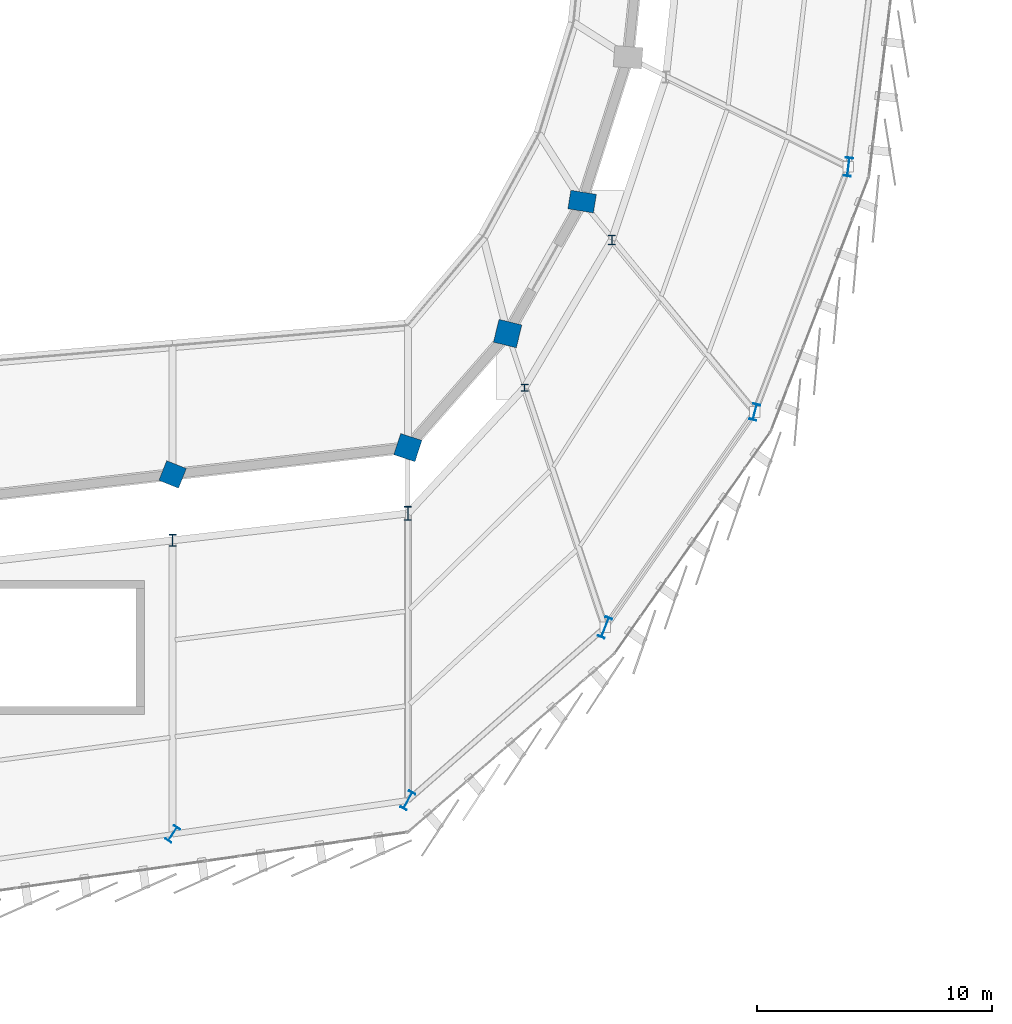
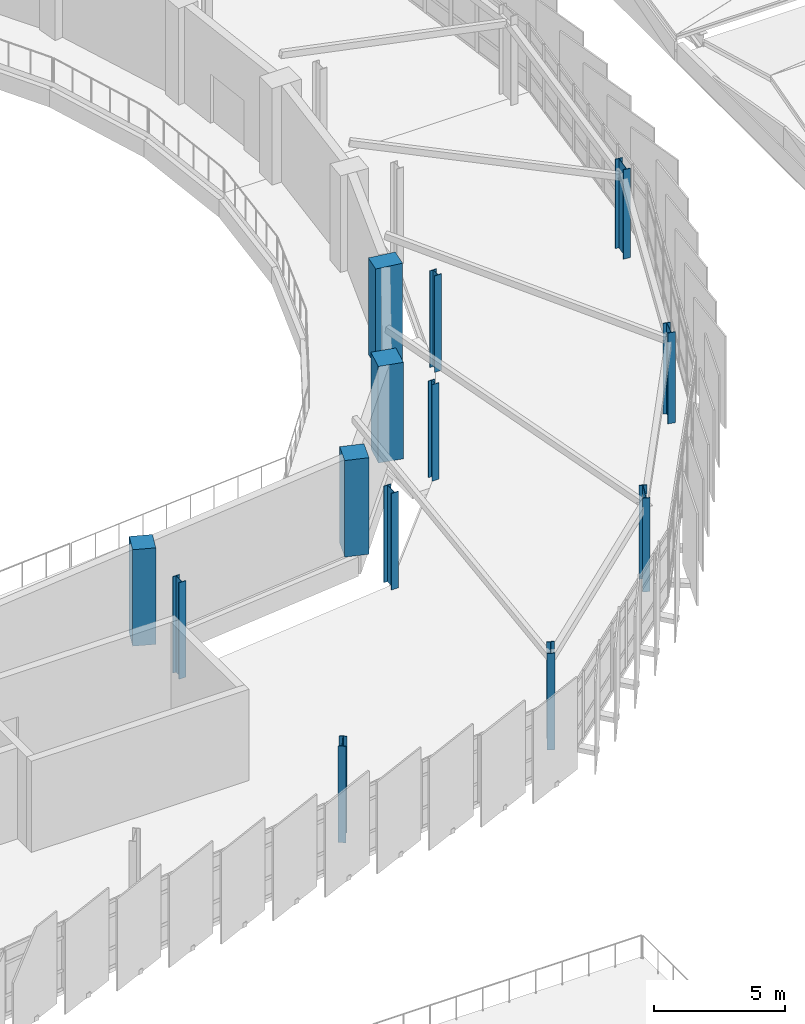
# One storey, part 12 of 87: 13 columns.
"""IFC4 building model written with IfcOpenShell, lengths in metres."""

from ifc_helpers import new_model, si_unit, direction, frame, origin, origin_2d, place, context, subcontext, project, spatial, rectangle, i_section, extrude, material, material_profile, profile_set, type_object, element, save


model = new_model("IFC4")

# Units and contexts
model_context = context("Model", 3, precision=1e-05, world=origin(), true_north=direction((0.0, 1.0)))
body_context = subcontext(model_context, "Body", "Model", "MODEL_VIEW")
ifc_project = project(units=[si_unit("LENGTHUNIT", "METRE"), si_unit("AREAUNIT", "SQUARE_METRE"), si_unit("VOLUMEUNIT", "CUBIC_METRE"), si_unit("PLANEANGLEUNIT", "RADIAN"), si_unit("MASSUNIT", "GRAM", prefix="KILO")], contexts=[model_context])

# Site, building, storey
site_placement = place(None, origin())
site = spatial("IfcSite", under=ifc_project, at=site_placement, CompositionType="ELEMENT")
building_placement = place(site_placement, origin())
building = spatial("IfcBuilding", under=site, at=building_placement, Name="Sohan Crest Arena", CompositionType="ELEMENT")
storey_placement = place(building_placement, frame((0.0, 0.0, 18.0)))
storey = spatial("IfcBuildingStorey", under=building, at=storey_placement, Name="L04", CompositionType="ELEMENT", Elevation=18.0)

# Columns
ifc_material_1 = material(Name="Concrete C40/50", Category="concrete")
ifc_material_profile_1 = material_profile(ifc_material_1, rectangle(XDim=0.89990234375, YDim=0.89990234375, at=origin_2d()), Name="RC 900x900")
ifc_profile_set_1 = profile_set([ifc_material_profile_1], Name="Concrete C40/50")
column_type_1 = type_object("IfcColumnType", Name="STR-COL-C07", PredefinedType="COLUMN", material=ifc_profile_set_1)
column_1_placement = place(storey_placement, frame((158.0, 53.85693359375, 0.0), z_axis=(0.0, 0.0, 1.0), x_axis=(-0.927836253899, 0.372987782576, 0.0)))
element("IfcColumn", 1, at=column_1_placement, inside=storey, type_object=column_type_1, Name="Structural column COL-V1R-19-L04", PredefinedType="COLUMN", context=body_context, shape_type="SweptSolid", body=[
    extrude(rectangle(XDim=0.89990234375, YDim=0.89990234375, at=origin_2d()), origin(), (0.0, 0.0, 1.0), 4.5),
])
ifc_material_profile_2 = material_profile(ifc_material_1, rectangle(XDim=0.949951171875, YDim=0.949951171875, at=origin_2d()), Name="RC 950x950")
ifc_profile_set_2 = profile_set([ifc_material_profile_2], Name="Concrete C40/50")
column_type_2 = type_object("IfcColumnType", Name="STR-COL-C08", PredefinedType="COLUMN", material=ifc_profile_set_2)
column_2_placement = place(storey_placement, frame((168.0, 55.0, 0.0), z_axis=(0.0, 0.0, 1.0), x_axis=(-0.949972051525, 0.312334918512, 0.0)))
element("IfcColumn", 2, at=column_2_placement, inside=storey, type_object=column_type_2, Name="Structural column COL-V1R-20-L04", PredefinedType="COLUMN", context=body_context, shape_type="SweptSolid", body=[
    extrude(rectangle(XDim=0.949951171875, YDim=0.949951171875, at=origin_2d()), origin(), (0.0, 0.0, 1.0), 4.5),
])
ifc_material_profile_3 = material_profile(ifc_material_1, rectangle(XDim=1.0, YDim=1.0, at=origin_2d()), Name="RC 1000x1000")
ifc_profile_set_3 = profile_set([ifc_material_profile_3], Name="Concrete C40/50")
column_type_3 = type_object("IfcColumnType", Name="STR-COL-C09", PredefinedType="COLUMN", material=ifc_profile_set_3)
column_3_placement = place(storey_placement, frame((172.242919921875, 59.845947265625, 0.0), z_axis=(0.0, 0.0, 1.0), x_axis=(-0.971549119998, 0.236838146066, 0.0)))
element("IfcColumn", 3, at=column_3_placement, inside=storey, type_object=column_type_3, Name="Structural column COL-V1R-21-L04", PredefinedType="COLUMN", context=body_context, shape_type="SweptSolid", body=[
    extrude(rectangle(XDim=1.0, YDim=1.0, at=origin_2d()), origin(), (0.0, 0.0, 1.0), 4.5),
])
ifc_material_profile_4 = material_profile(ifc_material_1, rectangle(XDim=1.10009765625, YDim=0.800048828125, at=origin_2d()), Name="RC 1100x800")
ifc_profile_set_4 = profile_set([ifc_material_profile_4], Name="Concrete C40/50")
column_type_4 = type_object("IfcColumnType", Name="STR-COL-C10", PredefinedType="COLUMN", material=ifc_profile_set_4)
column_4_placement = place(storey_placement, frame((175.408935546875, 65.455078125, 0.0), z_axis=(0.0, 0.0, 1.0), x_axis=(-0.987136265073, 0.159881187692, 0.0)))
element("IfcColumn", 4, at=column_4_placement, inside=storey, type_object=column_type_4, Name="Structural column COL-V1R-22-L04", PredefinedType="COLUMN", context=body_context, shape_type="SweptSolid", body=[
    extrude(rectangle(XDim=1.10009765625, YDim=0.800048828125, at=origin_2d()), origin(), (0.0, 0.0, 1.0), 4.5),
])
ifc_material_2 = material(Name="Steel S355", Category="steel")
ifc_material_profile_5 = material_profile(ifc_material_2, i_section(OverallWidth=0.300048828125, OverallDepth=0.300048828125, WebThickness=0.010986328125, FlangeThickness=0.01904296875, at=origin_2d()), Name="HEB 300")
ifc_profile_set_5 = profile_set([ifc_material_profile_5], Name="Steel S355")
column_type_5 = type_object("IfcColumnType", Name="STR-COL-C17", PredefinedType="COLUMN", material=ifc_profile_set_5)
column_5_placement = place(storey_placement, frame((172.9609375, 57.547119140625, 0.0), z_axis=(0.0, 0.0, 1.0), x_axis=(1.0, 0.0, 0.0)))
element("IfcColumn", 5, at=column_5_placement, inside=storey, type_object=column_type_5, Name="Structural column COL-V2I-21-L04", PredefinedType="COLUMN", context=body_context, shape_type="SweptSolid", body=[
    extrude(i_section(OverallWidth=0.300048828125, OverallDepth=0.300048828125, WebThickness=0.010986328125, FlangeThickness=0.01904296875, at=origin_2d()), origin(), (0.0, 0.0, 1.0), 4.5),
])
ifc_material_profile_6 = material_profile(ifc_material_2, i_section(OverallWidth=0.300048828125, OverallDepth=0.39990234375, WebThickness=0.013427734375, FlangeThickness=0.02392578125, at=origin_2d()), Name="HEB 400")
ifc_profile_set_6 = profile_set([ifc_material_profile_6], Name="Steel S355")
column_type_6 = type_object("IfcColumnType", Name="STR-COL-C18", PredefinedType="COLUMN", material=ifc_profile_set_6)
column_6_placement = place(storey_placement, frame((176.674072265625, 63.824951171875, 0.0), z_axis=(0.0, 0.0, 1.0), x_axis=(1.0, 0.0, 0.0)))
element("IfcColumn", 6, at=column_6_placement, inside=storey, type_object=column_type_6, Name="Structural column COL-V2I-22-L04", PredefinedType="COLUMN", context=body_context, shape_type="SweptSolid", body=[
    extrude(i_section(OverallWidth=0.300048828125, OverallDepth=0.39990234375, WebThickness=0.013427734375, FlangeThickness=0.02392578125, at=origin_2d()), origin(), (0.0, 0.0, 1.0), 4.5),
])
ifc_material_profile_7 = material_profile(ifc_material_2, i_section(OverallWidth=0.300048828125, OverallDepth=0.5, WebThickness=0.014404296875, FlangeThickness=0.028076171875, at=origin_2d()), Name="HEB 500")
ifc_profile_set_7 = profile_set([ifc_material_profile_7], Name="Steel S355")
column_type_7 = type_object("IfcColumnType", Name="STR-COL-C19", PredefinedType="COLUMN", material=ifc_profile_set_7)
column_7_placement = place(storey_placement, frame((158.0, 51.056884765625, 0.0), z_axis=(0.0, 0.0, 1.0), x_axis=(1.0, 0.0, 0.0)))
element("IfcColumn", 7, at=column_7_placement, inside=storey, type_object=column_type_7, Name="Structural column COL-V2I-19-L04", PredefinedType="COLUMN", context=body_context, shape_type="SweptSolid", body=[
    extrude(i_section(OverallWidth=0.300048828125, OverallDepth=0.5, WebThickness=0.014404296875, FlangeThickness=0.028076171875, at=origin_2d()), origin(), (0.0, 0.0, 1.0), 4.5),
])
ifc_material_profile_8 = material_profile(ifc_material_2, i_section(OverallWidth=0.300048828125, OverallDepth=0.60009765625, WebThickness=0.015380859375, FlangeThickness=0.030029296875, at=origin_2d()), Name="HEB 600")
ifc_profile_set_8 = profile_set([ifc_material_profile_8], Name="Steel S355")
column_type_8 = type_object("IfcColumnType", Name="STR-COL-C20", PredefinedType="COLUMN", material=ifc_profile_set_8)
column_8_placement = place(storey_placement, frame((168.0, 52.199951171875, 0.0), z_axis=(0.0, 0.0, 1.0), x_axis=(1.0, 0.0, 0.0)))
element("IfcColumn", 8, at=column_8_placement, inside=storey, type_object=column_type_8, Name="Structural column COL-V2I-20-L04", PredefinedType="COLUMN", context=body_context, shape_type="SweptSolid", body=[
    extrude(i_section(OverallWidth=0.300048828125, OverallDepth=0.60009765625, WebThickness=0.015380859375, FlangeThickness=0.030029296875, at=origin_2d()), origin(), (0.0, 0.0, 1.0), 4.5),
])
ifc_material_profile_9 = material_profile(ifc_material_2, i_section(OverallWidth=0.300048828125, OverallDepth=0.699951171875, WebThickness=0.01708984375, FlangeThickness=0.031982421875, at=origin_2d()), Name="HEB 700")
ifc_profile_set_9 = profile_set([ifc_material_profile_9], Name="Steel S355")
column_type_9 = type_object("IfcColumnType", Name="STR-COL-C21", PredefinedType="COLUMN", material=ifc_profile_set_9)
column_9_placement = place(storey_placement, frame((158.0, 38.571044921875, 0.0), z_axis=(0.0, 0.0, 1.0), x_axis=(-0.835807361368, 0.549022817998, 0.0)))
element("IfcColumn", 9, at=column_9_placement, inside=storey, type_object=column_type_9, Name="Structural column COL-V2O-19-L04", PredefinedType="COLUMN", context=body_context, shape_type="SweptSolid", body=[
    extrude(i_section(OverallWidth=0.300048828125, OverallDepth=0.699951171875, WebThickness=0.01708984375, FlangeThickness=0.031982421875, at=origin_2d()), origin(), (0.0, 0.0, 1.0), 4.5),
])
column_10_placement = place(storey_placement, frame((182.7490234375, 56.510986328125, 0.0), z_axis=(0.0, 0.0, 1.0), x_axis=(-0.969445349895, 0.245307385879, 0.0)))
element("IfcColumn", 10, at=column_10_placement, inside=storey, type_object=column_type_9, Name="Structural column COL-V2O-22-L04", PredefinedType="COLUMN", context=body_context, shape_type="SweptSolid", body=[
    extrude(i_section(OverallWidth=0.300048828125, OverallDepth=0.699951171875, WebThickness=0.01708984375, FlangeThickness=0.031982421875, at=origin_2d()), origin(), (0.0, 0.0, 1.0), 4.23291015625),
])
ifc_material_profile_10 = material_profile(ifc_material_2, i_section(OverallWidth=0.300048828125, OverallDepth=0.800048828125, WebThickness=0.017578125, FlangeThickness=0.032958984375, at=origin_2d()), Name="HEB 800")
ifc_profile_set_10 = profile_set([ifc_material_profile_10], Name="Steel S355")
column_type_10 = type_object("IfcColumnType", Name="STR-COL-C22", PredefinedType="COLUMN", material=ifc_profile_set_10)
column_11_placement = place(storey_placement, frame((168.0, 40.0, 0.0), z_axis=(0.0, 0.0, 1.0), x_axis=(-0.878817112662, 0.47715876026, 0.0)))
element("IfcColumn", 11, at=column_11_placement, inside=storey, type_object=column_type_10, Name="Structural column COL-V2O-20-L04", PredefinedType="COLUMN", context=body_context, shape_type="SweptSolid", body=[
    extrude(i_section(OverallWidth=0.300048828125, OverallDepth=0.800048828125, WebThickness=0.017578125, FlangeThickness=0.032958984375, at=origin_2d()), origin(), (0.0, 0.0, 1.0), 4.5),
])
column_12_placement = place(storey_placement, frame((186.72509765625, 66.929931640625, 0.0), z_axis=(0.0, 0.0, 1.0), x_axis=(-0.992331937885, 0.12360147674, 0.0)))
element("IfcColumn", 12, at=column_12_placement, inside=storey, type_object=column_type_10, Name="Structural column COL-V2O-23-L04", PredefinedType="COLUMN", context=body_context, shape_type="SweptSolid", body=[
    extrude(i_section(OverallWidth=0.300048828125, OverallDepth=0.800048828125, WebThickness=0.017578125, FlangeThickness=0.032958984375, at=origin_2d()), origin(), (0.0, 0.0, 1.0), 4.1640625),
])
ifc_material_profile_11 = material_profile(ifc_material_2, i_section(OverallWidth=0.300048828125, OverallDepth=0.89990234375, WebThickness=0.0185546875, FlangeThickness=0.034912109375, at=origin_2d()), Name="HEB 900")
ifc_profile_set_11 = profile_set([ifc_material_profile_11], Name="Steel S355")
column_type_11 = type_object("IfcColumnType", Name="STR-COL-C23", PredefinedType="COLUMN", material=ifc_profile_set_11)
column_13_placement = place(storey_placement, frame((176.383056640625, 47.35498046875, 0.0), z_axis=(0.0, 0.0, 1.0), x_axis=(-0.931055815863, 0.364876784338, 0.0)))
element("IfcColumn", 13, at=column_13_placement, inside=storey, type_object=column_type_11, Name="Structural column COL-V2O-21-L04", PredefinedType="COLUMN", context=body_context, shape_type="SweptSolid", body=[
    extrude(i_section(OverallWidth=0.300048828125, OverallDepth=0.89990234375, WebThickness=0.0185546875, FlangeThickness=0.034912109375, at=origin_2d()), origin(), (0.0, 0.0, 1.0), 4.375),
])

save(model, "model.ifc")
